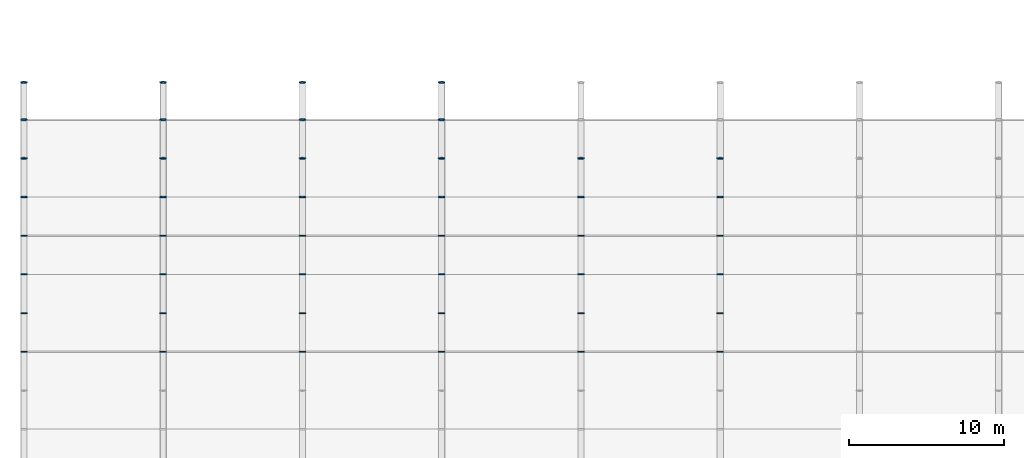
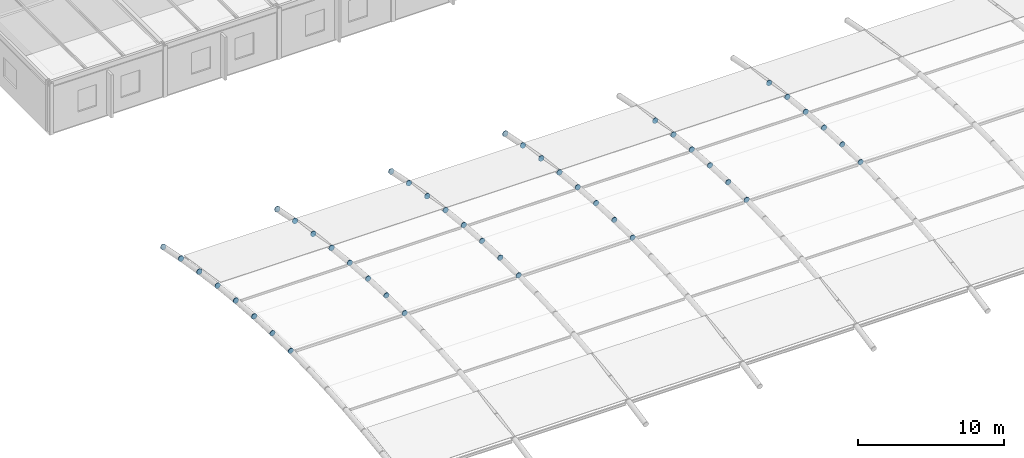
# One storey, part 69 of 105: 84 discrete accessories.
"""IFC4 building model written with IfcOpenShell, lengths in metres."""

import ifcopenshell
import ifcopenshell.guid

model = None  # the IFC model being written
_history = None  # IfcOwnerHistory: only IFC2X3 demands one
_inside = {}  # id of a spatial element -> (the spatial element, [elements in it])
_under = {}  # id of a project, library or spatial element -> (it, [spatial elements below it])
_declared = {}  # id of a project -> (the project, [libraries it declares])
_typed = {}  # id of a type object -> (the type object, [elements of that type])
_made_of = {}  # id of a material, layer set ... -> (it, [elements and type objects made of it])


def new_model(schema):
    """Start an empty IFC model of exactly this schema.

    Asked for "IFC4X3", IfcOpenShell would pick the latest addendum, in which some entities
    have other attributes; the version numbers below select the first issue.
    IFC2X3 requires an IfcOwnerHistory on every rooted entity: one is made here for all.
    """
    global model, _history
    if schema == "IFC4X3":
        model = ifcopenshell.file(schema_version=(4, 3, 0, 0))
    else:
        model = ifcopenshell.file(schema=schema)
    _inside.clear()
    _under.clear()
    _declared.clear()
    _typed.clear()
    _made_of.clear()
    _history = None
    if model.schema == "IFC2X3":
        org = make("IfcOrganization", Name="unknown")
        user = make(
            "IfcPersonAndOrganization",
            ThePerson=make("IfcPerson", FamilyName="unknown"),
            TheOrganization=org,
        )
        app = make(
            "IfcApplication",
            ApplicationDeveloper=org,
            Version="unknown",
            ApplicationFullName="unknown",
            ApplicationIdentifier="unknown",
        )
        _history = make(
            "IfcOwnerHistory",
            OwningUser=user,
            OwningApplication=app,
            ChangeAction="ADDED",
            CreationDate=0,
        )
    return model


def make(cls, **values):
    """One entity of the class cls with the attributes given. An attribute that is None is left unset."""
    return model.create_entity(
        cls, **{name: value for name, value in values.items() if value is not None}
    )


def rooted(cls, **values):
    """An entity with a GlobalId (a new one), such as an element, a storey or a relation."""
    return make(cls, GlobalId=ifcopenshell.guid.new(), OwnerHistory=_history, **values)


def si_unit(unit_type, name, prefix=None):
    """IfcSIUnit, for example si_unit("LENGTHUNIT", "METRE", prefix="MILLI")."""
    return make("IfcSIUnit", UnitType=unit_type, Prefix=prefix, Name=name)


def assignment(units):
    """IfcUnitAssignment: the units of a project."""
    return None if units is None else make("IfcUnitAssignment", Units=units)


def point(xyz):
    """IfcCartesianPoint."""
    return None if xyz is None else make("IfcCartesianPoint", Coordinates=xyz)


def direction(xyz):
    """IfcDirection."""
    return None if xyz is None else make("IfcDirection", DirectionRatios=xyz)


def frame(location, z_axis=None, x_axis=None):
    """IfcAxis2Placement3D, a coordinate frame: its origin and axes. An axis left out is left unset."""
    return make(
        "IfcAxis2Placement3D",
        Location=point(location),
        Axis=direction(z_axis),
        RefDirection=direction(x_axis),
    )


def frame_2d(location, x_axis=None):
    """IfcAxis2Placement2D, a coordinate frame in the plane: its origin and x axis."""
    return make(
        "IfcAxis2Placement2D", Location=point(location), RefDirection=direction(x_axis)
    )


def origin():
    """The frame at (0, 0, 0) with its axes left unset."""
    return frame((0.0, 0.0, 0.0))


def origin_2d():
    """The frame at (0, 0) in the plane with its x axis left unset."""
    return frame_2d((0.0, 0.0))


def place(relative_to, where):
    """IfcLocalPlacement: puts the frame where relative to a parent placement (None: the world)."""
    return make(
        "IfcLocalPlacement", PlacementRelTo=relative_to, RelativePlacement=where
    )


def context(
    kind, dimensions, precision=None, world=None, true_north=None, identifier=None
):
    """IfcGeometricRepresentationContext, for example the 3D "Model" context."""
    return make(
        "IfcGeometricRepresentationContext",
        ContextIdentifier=identifier,
        ContextType=kind,
        CoordinateSpaceDimension=dimensions,
        Precision=precision,
        WorldCoordinateSystem=world,
        TrueNorth=true_north,
    )


def subcontext(parent, identifier, kind, view, scale=None):
    """IfcGeometricRepresentationSubContext, for example "Body" below "Model"."""
    return make(
        "IfcGeometricRepresentationSubContext",
        ContextIdentifier=identifier,
        ContextType=kind,
        ParentContext=parent,
        TargetScale=scale,
        TargetView=view,
    )


def project(units=None, contexts=None):
    """IfcProject with its units and contexts."""
    return rooted(
        "IfcProject",
        Name="project",
        RepresentationContexts=contexts,
        UnitsInContext=assignment(units),
    )


def spatial(cls, under=None, at=None, **own):
    """A site, building, storey or space (cls), placed at a placement, below another one or the project."""
    s = rooted(cls, ObjectPlacement=at, **own)
    if under is not None:
        _under.setdefault(under.id(), (under, []))[1].append(s)
    return s


def profile(cls, at=None, kind="AREA", **sizes):
    """A parametric profile (cls). Its sizes go by their IFC names, for example OverallWidth=200.0."""
    return make(cls, ProfileType=kind, Position=at, **sizes)


def circle(**sizes):
    """IfcCircleProfileDef."""
    return profile("IfcCircleProfileDef", **sizes)


def extrude(swept, where, along, depth):
    """IfcExtrudedAreaSolid: the profile swept, set in the frame where, extruded along a direction by depth."""
    return make(
        "IfcExtrudedAreaSolid",
        SweptArea=swept,
        Position=where,
        ExtrudedDirection=direction(along),
        Depth=depth,
    )


def shape(context_of_items, identifier, shape_type, items):
    """IfcShapeRepresentation: the items that make up one representation, for example the "Body"."""
    return make(
        "IfcShapeRepresentation",
        ContextOfItems=context_of_items,
        RepresentationIdentifier=identifier,
        RepresentationType=shape_type,
        Items=items,
    )


def material(Name=None, Category=None):
    """IfcMaterial."""
    return make("IfcMaterial", Name=Name, Category=Category)


def made_of(thing, what):
    """Note that an element or type object is made of a material, layer set ...; save() writes the relation."""
    if what is not None:
        _made_of.setdefault(what.id(), (what, []))[1].append(thing)
    return thing


def element(
    cls,
    number,
    at=None,
    inside=None,
    cuts=None,
    type_object=None,
    material=None,
    context=None,
    identifier="Body",
    shape_type=None,
    held_by="IfcProductDefinitionShape",
    body=None,
    shapes=None,
    **own,
):
    """One element of the class cls, such as IfcWall. Its Tag is "e" and its number.

    at: its placement. inside: the storey or other place that contains it. cuts: it is an
    opening in that element (IfcRelVoidsElement). A single representation is given by context,
    identifier, shape_type and body (its items); several are given by shapes. held_by: the class
    of the entity that holds the representations. save() writes the other relations.
    """
    e = rooted(cls, Tag="e%d" % number, ObjectPlacement=at, **own)
    if body is not None:
        shapes = [shape(context, identifier, shape_type, body)]
    if shapes is not None:
        e.Representation = make(held_by, Representations=shapes)
    if inside is not None:
        _inside.setdefault(inside.id(), (inside, []))[1].append(e)
    if cuts is not None:
        rooted(
            "IfcRelVoidsElement", RelatingBuildingElement=cuts, RelatedOpeningElement=e
        )
    if type_object is not None:
        _typed.setdefault(type_object.id(), (type_object, []))[1].append(e)
    return made_of(e, material)


def aggregate(whole, parts):
    """IfcRelAggregates: a whole, such as a stair, and the parts it consists of."""
    return rooted("IfcRelAggregates", RelatingObject=whole, RelatedObjects=parts)


def save(model, path):
    """Write the relations noted so far, then the file.

    IfcRelAggregates (storeys below a building ...), IfcRelContainedInSpatialStructure (elements
    in a storey), IfcRelDefinesByType, IfcRelAssociatesMaterial and IfcRelDeclares: one each for
    every whole, place, type object, material and project.
    """
    for whole, parts in _under.values():
        aggregate(whole, parts)
    for where, things in _inside.values():
        rooted(
            "IfcRelContainedInSpatialStructure",
            RelatedElements=things,
            RelatingStructure=where,
        )
    for kind, things in _typed.values():
        rooted("IfcRelDefinesByType", RelatedObjects=things, RelatingType=kind)
    for what, things in _made_of.values():
        rooted("IfcRelAssociatesMaterial", RelatedObjects=things, RelatingMaterial=what)
    for by, libraries in _declared.values():
        rooted("IfcRelDeclares", RelatingContext=by, RelatedDefinitions=libraries)
    model.write(path)


model = new_model("IFC4")

# Units and contexts
model_context = context("Model", 3, precision=1e-05, world=origin(), true_north=direction((0.0, 1.0)))
body_context = subcontext(model_context, "Body", "Model", "MODEL_VIEW")
ifc_project = project(units=[si_unit("LENGTHUNIT", "METRE"), si_unit("AREAUNIT", "SQUARE_METRE"), si_unit("VOLUMEUNIT", "CUBIC_METRE"), si_unit("PLANEANGLEUNIT", "RADIAN"), si_unit("MASSUNIT", "GRAM", prefix="KILO")], contexts=[model_context])

# Site, building, storey
site_placement = place(None, origin())
site = spatial("IfcSite", under=ifc_project, at=site_placement, CompositionType="ELEMENT")
building_placement = place(site_placement, origin())
building = spatial("IfcBuilding", under=site, at=building_placement, Name="Marlcrest Central Station", CompositionType="ELEMENT")
storey_placement = place(building_placement, frame((0.0, 0.0, 15.0)))
storey = spatial("IfcBuildingStorey", under=building, at=storey_placement, Name="L03", CompositionType="ELEMENT", Elevation=15.0)

# Discrete accessories
ifc_material = material(Name="Steel S355", Category="steel")
for number, where, z_axis, x_axis, name in (
    (1, (0.0, 65.97509765625, 1.799560546875), (0.0, 0.999879472592, 0.01552547228), (-1.0, 0.0, 0.0), "endcap-mem-AC-01-L03-00107-e"),
    (2, (0.0, 65.985107421875, 1.80029296875), (0.0, 0.999879472592, -0.01552547228), (-1.0, 0.0, 0.0), "endcap-mem-AC-01-L03-00111-s"),
    (3, (0.0, 68.47509765625, 1.76171875), (0.0, 0.999879472592, -0.01552547228), (-1.0, 0.0, 0.0), "endcap-mem-AC-01-L03-00111-e"),
    (4, (0.0, 68.485107421875, 1.761962890625), (0.0, 0.998921349185, -0.046434234591), (-1.0, 0.0, 0.0), "endcap-mem-AC-01-L03-00115-s"),
    (5, (0.0, 70.97509765625, 1.646240234375), (0.0, 0.998921349185, -0.046434234591), (-1.0, 0.0, 0.0), "endcap-mem-AC-01-L03-00115-e"),
    (6, (0.0, 70.985107421875, 1.646240234375), (0.0, 0.996999825732, -0.077403795064), (-1.0, 0.0, 0.0), "endcap-mem-AC-01-L03-00119-s"),
    (7, (0.0, 73.47509765625, 1.452880859375), (0.0, 0.996999825732, -0.077403795064), (-1.0, 0.0, 0.0), "endcap-mem-AC-01-L03-00119-e"),
    (8, (0.0, 73.485107421875, 1.45263671875), (0.0, 0.994155341034, -0.107959056565), (-1.0, 0.0, 0.0), "endcap-mem-AC-01-L03-00123-s"),
    (9, (0.0, 75.97509765625, 1.18212890625), (0.0, 0.994155341034, -0.107959056565), (-1.0, 0.0, 0.0), "endcap-mem-AC-01-L03-00123-e"),
    (10, (0.0, 75.985107421875, 1.181396484375), (0.0, 0.990402740232, -0.138211476152), (-1.0, 0.0, 0.0), "endcap-mem-AC-01-L03-00127-s"),
    (11, (0.0, 78.475341796875, 0.833984375), (0.0, 0.990402740232, -0.138211476152), (-1.0, 0.0, 0.0), "endcap-mem-AC-01-L03-00127-e"),
    (12, (0.0, 78.485107421875, 0.8330078125), (0.0, 0.98574109921, -0.168269086076), (-1.0, 0.0, 0.0), "endcap-mem-AC-01-L03-00131-s"),
    (13, (0.0, 80.975341796875, 0.407958984375), (0.0, 0.98574109921, -0.168269086076), (-1.0, 0.0, 0.0), "endcap-mem-AC-01-L03-00131-e"),
    (14, (0.0, 80.9853515625, 0.40673828125), (0.0, 0.980359417961, -0.197219196874), (-1.0, 0.0, 0.0), "endcap-mem-AC-01-L03-00135-s"),
    (15, (0.0, 83.3955078125, -0.078125), (0.0, 0.980359417961, -0.197219196874), (-1.0, 0.0, 0.0), "endcap-mem-AC-01-L03-00135-e"),
    (16, (9.0, 65.97509765625, 1.799560546875), (0.0, 0.999879472592, 0.01552547228), (-1.0, 0.0, 0.0), "endcap-mem-AC-01-L03-00223-e"),
    (17, (9.0, 65.985107421875, 1.80029296875), (0.0, 0.999879472592, -0.01552547228), (-1.0, 0.0, 0.0), "endcap-mem-AC-01-L03-00227-s"),
    (18, (9.0, 68.47509765625, 1.76171875), (0.0, 0.999879472592, -0.01552547228), (-1.0, 0.0, 0.0), "endcap-mem-AC-01-L03-00227-e"),
    (19, (9.0, 68.485107421875, 1.761962890625), (0.0, 0.998921349185, -0.046434234591), (-1.0, 0.0, 0.0), "endcap-mem-AC-01-L03-00231-s"),
    (20, (9.0, 70.97509765625, 1.646240234375), (0.0, 0.998921349185, -0.046434234591), (-1.0, 0.0, 0.0), "endcap-mem-AC-01-L03-00231-e"),
    (21, (9.0, 70.985107421875, 1.646240234375), (0.0, 0.996999825732, -0.077403795064), (-1.0, 0.0, 0.0), "endcap-mem-AC-01-L03-00235-s"),
    (22, (9.0, 73.47509765625, 1.452880859375), (0.0, 0.996999825732, -0.077403795064), (-1.0, 0.0, 0.0), "endcap-mem-AC-01-L03-00235-e"),
    (23, (9.0, 73.485107421875, 1.45263671875), (0.0, 0.994155341034, -0.107959056565), (-1.0, 0.0, 0.0), "endcap-mem-AC-01-L03-00239-s"),
    (24, (9.0, 75.97509765625, 1.18212890625), (0.0, 0.994155341034, -0.107959056565), (-1.0, 0.0, 0.0), "endcap-mem-AC-01-L03-00239-e"),
    (25, (9.0, 75.985107421875, 1.181396484375), (0.0, 0.990402740232, -0.138211476152), (-1.0, 0.0, 0.0), "endcap-mem-AC-01-L03-00243-s"),
    (26, (9.0, 78.475341796875, 0.833984375), (0.0, 0.990402740232, -0.138211476152), (-1.0, 0.0, 0.0), "endcap-mem-AC-01-L03-00243-e"),
    (27, (9.0, 78.485107421875, 0.8330078125), (0.0, 0.98574109921, -0.168269086076), (-1.0, 0.0, 0.0), "endcap-mem-AC-01-L03-00247-s"),
    (28, (9.0, 80.975341796875, 0.407958984375), (0.0, 0.98574109921, -0.168269086076), (-1.0, 0.0, 0.0), "endcap-mem-AC-01-L03-00247-e"),
    (29, (9.0, 80.9853515625, 0.40673828125), (0.0, 0.980359417961, -0.197219196874), (-1.0, 0.0, 0.0), "endcap-mem-AC-01-L03-00251-s"),
    (30, (9.0, 83.3955078125, -0.078125), (0.0, 0.980359417961, -0.197219196874), (-1.0, 0.0, 0.0), "endcap-mem-AC-01-L03-00251-e"),
    (31, (18.0, 65.97509765625, 1.799560546875), (0.0, 0.999879472592, 0.01552547228), (-1.0, 0.0, 0.0), "endcap-mem-AC-01-L03-00339-e"),
    (32, (18.0, 65.985107421875, 1.80029296875), (0.0, 0.999879472592, -0.01552547228), (-1.0, 0.0, 0.0), "endcap-mem-AC-01-L03-00343-s"),
    (33, (18.0, 68.47509765625, 1.76171875), (0.0, 0.999879472592, -0.01552547228), (-1.0, 0.0, 0.0), "endcap-mem-AC-01-L03-00343-e"),
    (34, (18.0, 68.485107421875, 1.761962890625), (0.0, 0.998921349185, -0.046434234591), (-1.0, 0.0, 0.0), "endcap-mem-AC-01-L03-00347-s"),
    (35, (18.0, 70.97509765625, 1.646240234375), (0.0, 0.998921349185, -0.046434234591), (-1.0, 0.0, 0.0), "endcap-mem-AC-01-L03-00347-e"),
    (36, (18.0, 70.985107421875, 1.646240234375), (0.0, 0.996999825732, -0.077403795064), (-1.0, 0.0, 0.0), "endcap-mem-AC-01-L03-00351-s"),
    (37, (18.0, 73.47509765625, 1.452880859375), (0.0, 0.996999825732, -0.077403795064), (-1.0, 0.0, 0.0), "endcap-mem-AC-01-L03-00351-e"),
    (38, (18.0, 73.485107421875, 1.45263671875), (0.0, 0.994155341034, -0.107959056565), (-1.0, 0.0, 0.0), "endcap-mem-AC-01-L03-00355-s"),
    (39, (18.0, 75.97509765625, 1.18212890625), (0.0, 0.994155341034, -0.107959056565), (-1.0, 0.0, 0.0), "endcap-mem-AC-01-L03-00355-e"),
    (40, (18.0, 75.985107421875, 1.181396484375), (0.0, 0.990402740232, -0.138211476152), (-1.0, 0.0, 0.0), "endcap-mem-AC-01-L03-00359-s"),
    (41, (18.0, 78.475341796875, 0.833984375), (0.0, 0.990402740232, -0.138211476152), (-1.0, 0.0, 0.0), "endcap-mem-AC-01-L03-00359-e"),
    (42, (18.0, 78.485107421875, 0.8330078125), (0.0, 0.98574109921, -0.168269086076), (-1.0, 0.0, 0.0), "endcap-mem-AC-01-L03-00363-s"),
    (43, (18.0, 80.975341796875, 0.407958984375), (0.0, 0.98574109921, -0.168269086076), (-1.0, 0.0, 0.0), "endcap-mem-AC-01-L03-00363-e"),
    (44, (18.0, 80.9853515625, 0.40673828125), (0.0, 0.980359417961, -0.197219196874), (-1.0, 0.0, 0.0), "endcap-mem-AC-01-L03-00367-s"),
    (45, (18.0, 83.3955078125, -0.078125), (0.0, 0.980359417961, -0.197219196874), (-1.0, 0.0, 0.0), "endcap-mem-AC-01-L03-00367-e"),
    (46, (27.0, 65.97509765625, 1.799560546875), (0.0, 0.999879472592, 0.01552547228), (-1.0, 0.0, 0.0), "endcap-mem-AC-01-L03-00455-e"),
    (47, (27.0, 65.985107421875, 1.80029296875), (0.0, 0.999879472592, -0.01552547228), (-1.0, 0.0, 0.0), "endcap-mem-AC-01-L03-00459-s"),
    (48, (27.0, 68.47509765625, 1.76171875), (0.0, 0.999879472592, -0.01552547228), (-1.0, 0.0, 0.0), "endcap-mem-AC-01-L03-00459-e"),
    (49, (27.0, 68.485107421875, 1.761962890625), (0.0, 0.998921349185, -0.046434234591), (-1.0, 0.0, 0.0), "endcap-mem-AC-01-L03-00463-s"),
    (50, (27.0, 70.97509765625, 1.646240234375), (0.0, 0.998921349185, -0.046434234591), (-1.0, 0.0, 0.0), "endcap-mem-AC-01-L03-00463-e"),
    (51, (27.0, 70.985107421875, 1.646240234375), (0.0, 0.996999825732, -0.077403795064), (-1.0, 0.0, 0.0), "endcap-mem-AC-01-L03-00467-s"),
    (52, (27.0, 73.47509765625, 1.452880859375), (0.0, 0.996999825732, -0.077403795064), (-1.0, 0.0, 0.0), "endcap-mem-AC-01-L03-00467-e"),
    (53, (27.0, 73.485107421875, 1.45263671875), (0.0, 0.994155341034, -0.107959056565), (-1.0, 0.0, 0.0), "endcap-mem-AC-01-L03-00471-s"),
    (54, (27.0, 75.97509765625, 1.18212890625), (0.0, 0.994155341034, -0.107959056565), (-1.0, 0.0, 0.0), "endcap-mem-AC-01-L03-00471-e"),
    (55, (27.0, 75.985107421875, 1.181396484375), (0.0, 0.990402740232, -0.138211476152), (-1.0, 0.0, 0.0), "endcap-mem-AC-01-L03-00475-s"),
    (56, (27.0, 78.475341796875, 0.833984375), (0.0, 0.990402740232, -0.138211476152), (-1.0, 0.0, 0.0), "endcap-mem-AC-01-L03-00475-e"),
    (57, (27.0, 78.485107421875, 0.8330078125), (0.0, 0.98574109921, -0.168269086076), (-1.0, 0.0, 0.0), "endcap-mem-AC-01-L03-00479-s"),
    (58, (27.0, 80.975341796875, 0.407958984375), (0.0, 0.98574109921, -0.168269086076), (-1.0, 0.0, 0.0), "endcap-mem-AC-01-L03-00479-e"),
    (59, (27.0, 80.9853515625, 0.40673828125), (0.0, 0.980359417961, -0.197219196874), (-1.0, 0.0, 0.0), "endcap-mem-AC-01-L03-00483-s"),
    (60, (27.0, 83.3955078125, -0.078125), (0.0, 0.980359417961, -0.197219196874), (-1.0, 0.0, 0.0), "endcap-mem-AC-01-L03-00483-e"),
    (61, (36.0, 65.97509765625, 1.799560546875), (0.0, 0.999879472592, 0.01552547228), (-1.0, 0.0, 0.0), "endcap-mem-AC-01-L03-00571-e"),
    (62, (36.0, 65.985107421875, 1.80029296875), (0.0, 0.999879472592, -0.01552547228), (-1.0, 0.0, 0.0), "endcap-mem-AC-01-L03-00575-s"),
    (63, (36.0, 68.47509765625, 1.76171875), (0.0, 0.999879472592, -0.01552547228), (-1.0, 0.0, 0.0), "endcap-mem-AC-01-L03-00575-e"),
    (64, (36.0, 68.485107421875, 1.761962890625), (0.0, 0.998921349185, -0.046434234591), (-1.0, 0.0, 0.0), "endcap-mem-AC-01-L03-00579-s"),
    (65, (36.0, 70.97509765625, 1.646240234375), (0.0, 0.998921349185, -0.046434234591), (-1.0, 0.0, 0.0), "endcap-mem-AC-01-L03-00579-e"),
    (66, (36.0, 70.985107421875, 1.646240234375), (0.0, 0.996999825732, -0.077403795064), (-1.0, 0.0, 0.0), "endcap-mem-AC-01-L03-00583-s"),
    (67, (36.0, 73.47509765625, 1.452880859375), (0.0, 0.996999825732, -0.077403795064), (-1.0, 0.0, 0.0), "endcap-mem-AC-01-L03-00583-e"),
    (68, (36.0, 73.485107421875, 1.45263671875), (0.0, 0.994155341034, -0.107959056565), (-1.0, 0.0, 0.0), "endcap-mem-AC-01-L03-00587-s"),
    (69, (36.0, 75.97509765625, 1.18212890625), (0.0, 0.994155341034, -0.107959056565), (-1.0, 0.0, 0.0), "endcap-mem-AC-01-L03-00587-e"),
    (70, (36.0, 75.985107421875, 1.181396484375), (0.0, 0.990402740232, -0.138211476152), (-1.0, 0.0, 0.0), "endcap-mem-AC-01-L03-00591-s"),
    (71, (36.0, 78.475341796875, 0.833984375), (0.0, 0.990402740232, -0.138211476152), (-1.0, 0.0, 0.0), "endcap-mem-AC-01-L03-00591-e"),
    (72, (36.0, 78.485107421875, 0.8330078125), (0.0, 0.98574109921, -0.168269086076), (-1.0, 0.0, 0.0), "endcap-mem-AC-01-L03-00595-s"),
    (73, (45.0, 65.97509765625, 1.799560546875), (0.0, 0.999879472592, 0.01552547228), (-1.0, 0.0, 0.0), "endcap-mem-AC-01-L03-00687-e"),
    (74, (45.0, 65.985107421875, 1.80029296875), (0.0, 0.999879472592, -0.01552547228), (-1.0, 0.0, 0.0), "endcap-mem-AC-01-L03-00691-s"),
    (75, (45.0, 68.47509765625, 1.76171875), (0.0, 0.999879472592, -0.01552547228), (-1.0, 0.0, 0.0), "endcap-mem-AC-01-L03-00691-e"),
    (76, (45.0, 68.485107421875, 1.761962890625), (0.0, 0.998921349185, -0.046434234591), (-1.0, 0.0, 0.0), "endcap-mem-AC-01-L03-00695-s"),
    (77, (45.0, 70.97509765625, 1.646240234375), (0.0, 0.998921349185, -0.046434234591), (-1.0, 0.0, 0.0), "endcap-mem-AC-01-L03-00695-e"),
    (78, (45.0, 70.985107421875, 1.646240234375), (0.0, 0.996999825732, -0.077403795064), (-1.0, 0.0, 0.0), "endcap-mem-AC-01-L03-00699-s"),
    (79, (45.0, 73.47509765625, 1.452880859375), (0.0, 0.996999825732, -0.077403795064), (-1.0, 0.0, 0.0), "endcap-mem-AC-01-L03-00699-e"),
    (80, (45.0, 73.485107421875, 1.45263671875), (0.0, 0.994155341034, -0.107959056565), (-1.0, 0.0, 0.0), "endcap-mem-AC-01-L03-00703-s"),
    (81, (45.0, 75.97509765625, 1.18212890625), (0.0, 0.994155341034, -0.107959056565), (-1.0, 0.0, 0.0), "endcap-mem-AC-01-L03-00703-e"),
    (82, (45.0, 75.985107421875, 1.181396484375), (0.0, 0.990402740232, -0.138211476152), (-1.0, 0.0, 0.0), "endcap-mem-AC-01-L03-00707-s"),
    (83, (45.0, 78.475341796875, 0.833984375), (0.0, 0.990402740232, -0.138211476152), (-1.0, 0.0, 0.0), "endcap-mem-AC-01-L03-00707-e"),
    (84, (45.0, 78.485107421875, 0.8330078125), (0.0, 0.98574109921, -0.168269086076), (-1.0, 0.0, 0.0), "endcap-mem-AC-01-L03-00711-s"),
):
    element("IfcDiscreteAccessory", number, at=place(storey_placement, frame(where, z_axis=z_axis, x_axis=x_axis)), inside=storey, material=ifc_material, Name=name, ObjectType="END_CAP_PLATE", PredefinedType="BRACKET", context=body_context, shape_type="SweptSolid", body=[
        extrude(circle(Radius=0.211181640625, at=origin_2d()), origin(), (0.0, 0.0, 1.0), 0.0400390625),
    ])

save(model, "model.ifc")
